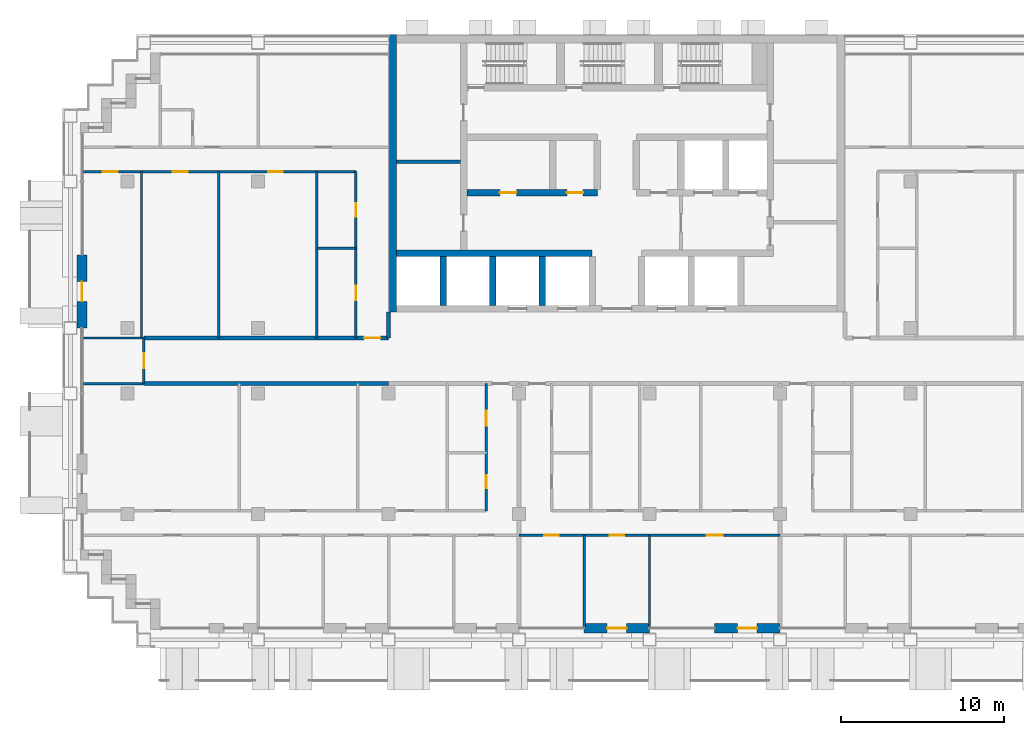
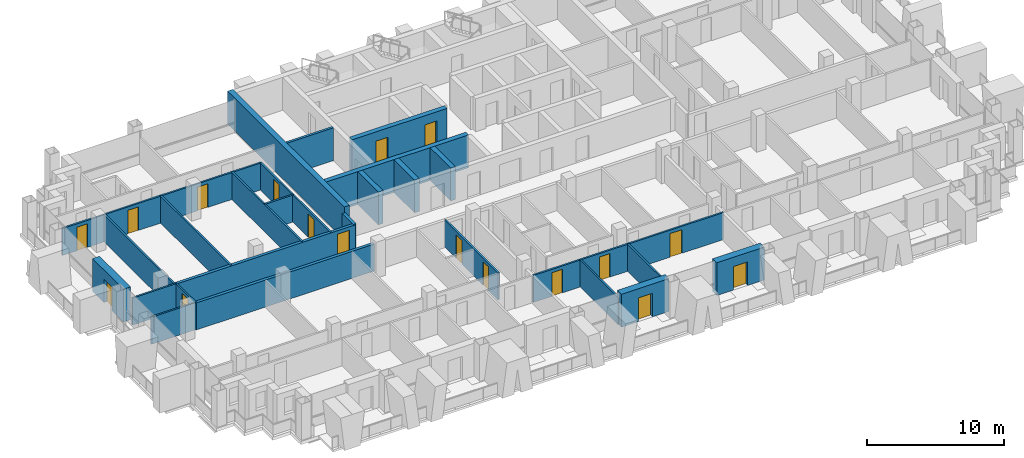
# One storey, part 8 of 16: 26 walls, 17 doors, 17 openings.
"""IFC4 building model written with IfcOpenShell, lengths in metres."""

from ifc_helpers import new_model, si_unit, direction, frame, frame_2d, origin, place, context, subcontext, project, spatial, rectangle, extrude, material, layer, layer_set, type_object, element, fill, save


model = new_model("IFC4")

# Units and contexts
model_context = context("Model", 3, precision=1e-05, world=origin(), true_north=direction((0.0, 1.0)))
body_context = subcontext(model_context, "Body", "Model", "MODEL_VIEW")
ifc_project = project(units=[si_unit("LENGTHUNIT", "METRE"), si_unit("AREAUNIT", "SQUARE_METRE"), si_unit("VOLUMEUNIT", "CUBIC_METRE"), si_unit("PLANEANGLEUNIT", "RADIAN"), si_unit("MASSUNIT", "GRAM", prefix="KILO")], contexts=[model_context])

# Site, building, storey
site_placement = place(None, origin())
site = spatial("IfcSite", under=ifc_project, at=site_placement, CompositionType="ELEMENT")
building_placement = place(site_placement, origin())
building = spatial("IfcBuilding", under=site, at=building_placement, Name="Vidyagriha Tower", CompositionType="ELEMENT")
storey_placement = place(building_placement, frame((0.0, 0.0, 129.39990234375)))
storey = spatial("IfcBuildingStorey", under=building, at=storey_placement, Name="L33", CompositionType="ELEMENT", Elevation=129.39990234375)

# Wall, opening, door
ifc_material_1 = material(Name="Precast concrete C40/50 with brick facing", Category="concrete")
ifc_layer_1 = layer(ifc_material_1, 0.60009765625)
ifc_layer_set_1 = layer_set([ifc_layer_1], Name="Precast concrete C40/50 with brick facing")
wall_type_1 = type_object("IfcWallType", Name="Brick-faced precast wall 600", PredefinedType="STANDARD", material=ifc_layer_set_1)
wall_1_placement = place(storey_placement, frame((-32.800048828125, 6.5, 0.0), z_axis=(0.0, 0.0, 1.0), x_axis=(0.0, -1.0, 0.0)))
wall_1 = element("IfcWall", 1, at=wall_1_placement, inside=storey, type_object=wall_type_1, Name="Brick door bay wall L33 R16.3", PredefinedType="STANDARD", context=body_context, shape_type="SweptSolid", body=[
    extrude(rectangle(XDim=4.5, YDim=0.60009765625, at=frame_2d((2.25, 0.0))), origin(), (0.0, 0.0, 1.0), 2.920166015625),
])
opening_1_placement = place(wall_1_placement, frame((1.64990234375, 0.0, 0.0)))
opening_1 = element("IfcOpeningElement", 2, at=opening_1_placement, cuts=wall_1, Name="Opening D33-65", PredefinedType="OPENING", context=body_context, shape_type="SweptSolid", body=[
    extrude(rectangle(XDim=1.199951171875, YDim=2.10009765625, at=frame_2d((0.60009765625, 1.050048828125))), frame((0.0, 0.31005859375, 0.0), z_axis=(0.0, -1.0, 0.0), x_axis=(1.0, 0.0, 0.0)), (0.0, 0.0, 1.0), 0.6201171875),
])
ifc_material_2 = material(Name="Aluminium framed glazed sliding door", Category="aluminium")
door_type_1 = type_object("IfcDoorType", Name="Balcony sliding door 1200x2100", OperationType="NOTDEFINED", PredefinedType="DOOR", material=ifc_material_2)
door_1_placement = place(opening_1_placement, origin())
door_1 = element("IfcDoor", 3, at=door_1_placement, inside=storey, type_object=door_type_1, Name="Door D33-65", OperationType="SLIDING_TO_LEFT", OverallHeight=2.10009765625, OverallWidth=1.199951171875, PredefinedType="DOOR", context=body_context, shape_type="SweptSolid", body=[
    extrude(rectangle(XDim=1.199951171875, YDim=2.10009765625, at=frame_2d((0.60009765625, 1.050048828125))), frame((0.0, 0.02490234375, 0.0), z_axis=(0.0, -1.0, 0.0), x_axis=(1.0, 0.0, 0.0)), (0.0, 0.0, 1.0), 0.050048828125),
])
fill(opening_1, door_1)

wall_2_placement = place(storey_placement, frame((-2.0, -16.39990234375, 0.0)))
wall_2 = element("IfcWall", 4, at=wall_2_placement, inside=storey, type_object=wall_type_1, Name="Brick door bay wall L33 R23.8", PredefinedType="STANDARD", context=body_context, shape_type="SweptSolid", body=[
    extrude(rectangle(XDim=4.0, YDim=0.60009765625, at=frame_2d((2.0, 0.0))), origin(), (0.0, 0.0, 1.0), 2.920166015625),
])
opening_2_placement = place(wall_2_placement, frame((1.39990234375, 0.0, 0.0)))
opening_2 = element("IfcOpeningElement", 5, at=opening_2_placement, cuts=wall_2, Name="Opening D33-70", PredefinedType="OPENING", context=body_context, shape_type="SweptSolid", body=[
    extrude(rectangle(XDim=1.199951171875, YDim=2.10009765625, at=frame_2d((0.60009765625, 1.050048828125))), frame((0.0, 0.31005859375, 0.0), z_axis=(0.0, -1.0, 0.0), x_axis=(1.0, 0.0, 0.0)), (0.0, 0.0, 1.0), 0.6201171875),
])
door_2_placement = place(opening_2_placement, origin())
door_2 = element("IfcDoor", 6, at=door_2_placement, inside=storey, type_object=door_type_1, Name="Door D33-70", OperationType="SLIDING_TO_LEFT", OverallHeight=2.10009765625, OverallWidth=1.199951171875, PredefinedType="DOOR", context=body_context, shape_type="SweptSolid", body=[
    extrude(rectangle(XDim=1.199951171875, YDim=2.10009765625, at=frame_2d((0.60009765625, 1.050048828125))), frame((0.0, 0.02490234375, 0.0), z_axis=(0.0, -1.0, 0.0), x_axis=(1.0, 0.0, 0.0)), (0.0, 0.0, 1.0), 0.050048828125),
])
fill(opening_2, door_2)

wall_3_placement = place(storey_placement, frame((6.0, -16.39990234375, 0.0)))
wall_3 = element("IfcWall", 7, at=wall_3_placement, inside=storey, type_object=wall_type_1, Name="Brick door bay wall L33 R23.10", PredefinedType="STANDARD", context=body_context, shape_type="SweptSolid", body=[
    extrude(rectangle(XDim=4.0, YDim=0.60009765625, at=frame_2d((2.0, 0.0))), origin(), (0.0, 0.0, 1.0), 2.920166015625),
])
opening_3_placement = place(wall_3_placement, frame((1.39990234375, 0.0, 0.0)))
opening_3 = element("IfcOpeningElement", 8, at=opening_3_placement, cuts=wall_3, Name="Opening D33-71", PredefinedType="OPENING", context=body_context, shape_type="SweptSolid", body=[
    extrude(rectangle(XDim=1.199951171875, YDim=2.10009765625, at=frame_2d((0.60009765625, 1.050048828125))), frame((0.0, 0.31005859375, 0.0), z_axis=(0.0, -1.0, 0.0), x_axis=(1.0, 0.0, 0.0)), (0.0, 0.0, 1.0), 0.6201171875),
])
door_3_placement = place(opening_3_placement, origin())
door_3 = element("IfcDoor", 9, at=door_3_placement, inside=storey, type_object=door_type_1, Name="Door D33-71", OperationType="SLIDING_TO_LEFT", OverallHeight=2.10009765625, OverallWidth=1.199951171875, PredefinedType="DOOR", context=body_context, shape_type="SweptSolid", body=[
    extrude(rectangle(XDim=1.199951171875, YDim=2.10009765625, at=frame_2d((0.60009765625, 1.050048828125))), frame((0.0, 0.02490234375, 0.0), z_axis=(0.0, -1.0, 0.0), x_axis=(1.0, 0.0, 0.0)), (0.0, 0.0, 1.0), 0.050048828125),
])
fill(opening_3, door_3)

# Walls
ifc_material_3 = material(Name="Concrete C60/75", Category="concrete")
ifc_layer_2 = layer(ifc_material_3, 0.39990234375)
ifc_layer_set_2 = layer_set([ifc_layer_2], Name="Concrete C60/75")
wall_type_2 = type_object("IfcWallType", Name="Core shear wall 400 mm", PredefinedType="SHEAR", material=ifc_layer_set_2)
wall_4_placement = place(storey_placement, frame((-13.5, 6.60009765625, 0.0)))
element("IfcWall", 10, at=wall_4_placement, inside=storey, type_object=wall_type_2, Name="Core lobby south wall west", PredefinedType="SHEAR", context=body_context, shape_type="SweptSolid", body=[
    extrude(rectangle(XDim=11.977783203125, YDim=0.39990234375, at=frame_2d((5.98876953125, 0.0))), origin(), (0.0, 0.0, 1.0), 2.920166015625),
])
for number, where, z_axis, x_axis, name in (
    (11, (-10.655517578125, 3.39990234375, 0.0), (0.0, 0.0, 1.0), (0.0, 1.0, 0.0), "Core bay wall S1"),
    (12, (-7.611083984375, 3.39990234375, 0.0), (0.0, 0.0, 1.0), (0.0, 1.0, 0.0), "Core bay wall S2"),
    (13, (-4.566650390625, 3.39990234375, 0.0), (0.0, 0.0, 1.0), (0.0, 1.0, 0.0), "Core bay wall S3"),
):
    element("IfcWall", number, at=place(storey_placement, frame(where, z_axis=z_axis, x_axis=x_axis)), inside=storey, type_object=wall_type_2, Name=name, PredefinedType="SHEAR", context=body_context, shape_type="SweptSolid", body=[
        extrude(rectangle(XDim=3.0, YDim=0.39990234375, at=frame_2d((1.5, 0.0))), origin(), (0.0, 0.0, 1.0), 2.920166015625),
    ])

# Wall, openings, doors
wall_5_placement = place(storey_placement, frame((-9.199951171875, 10.300048828125, 0.0)))
wall_5 = element("IfcWall", 14, at=wall_5_placement, inside=storey, type_object=wall_type_2, Name="Core row N front wall", PredefinedType="SHEAR", context=body_context, shape_type="SweptSolid", body=[
    extrude(rectangle(XDim=8.0, YDim=0.39990234375, at=frame_2d((4.0, 0.0))), origin(), (0.0, 0.0, 1.0), 2.920166015625),
])
opening_4_placement = place(wall_5_placement, frame((2.033203125, 0.0, 0.0)))
opening_4 = element("IfcOpeningElement", 15, at=opening_4_placement, cuts=wall_5, Name="Opening D33-02", PredefinedType="OPENING", context=body_context, shape_type="SweptSolid", body=[
    extrude(rectangle(XDim=1.0, YDim=2.10009765625, at=frame_2d((0.5, 1.050048828125))), frame((0.0, 0.2099609375, 0.0), z_axis=(0.0, -1.0, 0.0), x_axis=(1.0, 0.0, 0.0)), (0.0, 0.0, 1.0), 0.419921875),
])
opening_5_placement = place(wall_5_placement, frame((6.13330078125, 0.0, 0.0)))
opening_5 = element("IfcOpeningElement", 16, at=opening_5_placement, cuts=wall_5, Name="Opening D33-03", PredefinedType="OPENING", context=body_context, shape_type="SweptSolid", body=[
    extrude(rectangle(XDim=1.0, YDim=2.10009765625, at=frame_2d((0.5, 1.050048828125))), frame((0.0, 0.2099609375, 0.0), z_axis=(0.0, -1.0, 0.0), x_axis=(1.0, 0.0, 0.0)), (0.0, 0.0, 1.0), 0.419921875),
])
ifc_material_4 = material(Name="Hollow metal door leaf")
door_type_2 = type_object("IfcDoorType", Name="Core room door 1000 x 2100 mm EI 60", OperationType="NOTDEFINED", PredefinedType="DOOR", material=ifc_material_4)
door_4_placement = place(opening_4_placement, frame((1.0, 0.0, 0.0), z_axis=(0.0, 0.0, 1.0), x_axis=(-1.0, 0.0, 0.0)))
door_4 = element("IfcDoor", 17, at=door_4_placement, inside=storey, type_object=door_type_2, Name="Door Pressurisation Plant Room 33.14", OperationType="SINGLE_SWING_RIGHT", OverallHeight=2.10009765625, OverallWidth=1.0, PredefinedType="DOOR", context=body_context, shape_type="SweptSolid", body=[
    extrude(rectangle(XDim=1.0, YDim=2.10009765625, at=frame_2d((0.5, 1.050048828125))), frame((0.0, 0.02490234375, 0.0), z_axis=(0.0, -1.0, 0.0), x_axis=(1.0, 0.0, 0.0)), (0.0, 0.0, 1.0), 0.050048828125),
])
fill(opening_4, door_4)
door_5_placement = place(opening_5_placement, frame((1.0, 0.0, 0.0), z_axis=(0.0, 0.0, 1.0), x_axis=(-1.0, 0.0, 0.0)))
door_5 = element("IfcDoor", 18, at=door_5_placement, inside=storey, type_object=door_type_2, Name="Door Switchgear Room 33.15", OperationType="SINGLE_SWING_LEFT", OverallHeight=2.10009765625, OverallWidth=1.0, PredefinedType="DOOR", context=body_context, shape_type="SweptSolid", body=[
    extrude(rectangle(XDim=1.0, YDim=2.10009765625, at=frame_2d((0.5, 1.050048828125))), frame((0.0, 0.02490234375, 0.0), z_axis=(0.0, -1.0, 0.0), x_axis=(1.0, 0.0, 0.0)), (0.0, 0.0, 1.0), 0.050048828125),
])
fill(opening_5, door_5)

# Walls
ifc_material_5 = material(Name="Concrete C60/75", Category="concrete")
ifc_layer_3 = layer(ifc_material_5, 0.449951171875)
ifc_layer_set_3 = layer_set([ifc_layer_3], Name="Concrete C60/75")
wall_type_3 = type_object("IfcWallType", Name="Core shear wall 450 mm", PredefinedType="SHEAR", material=ifc_layer_set_3)
wall_6_placement = place(storey_placement, frame((-13.72509765625, 3.0, 0.0), z_axis=(0.0, 0.0, 1.0), x_axis=(0.0, 1.0, 0.0)))
element("IfcWall", 19, at=wall_6_placement, inside=storey, type_object=wall_type_3, Name="Core west wall", PredefinedType="SHEAR", context=body_context, shape_type="SweptSolid", body=[
    extrude(rectangle(XDim=17.0, YDim=0.449951171875, at=frame_2d((8.5, 0.0))), origin(), (0.0, 0.0, 1.0), 2.920166015625),
])
ifc_material_6 = material(Name="Fired clay brick masonry", Category="masonry")
ifc_layer_4 = layer(ifc_material_6, 0.25)
ifc_layer_set_4 = layer_set([ifc_layer_4], Name="Fired clay brick masonry")
wall_type_4 = type_object("IfcWallType", Name="Fired clay brick corridor wall 250", PredefinedType="PARTITIONING", material=ifc_layer_set_4)
wall_7_placement = place(storey_placement, frame((-14.0, -1.39990234375, 0.0), z_axis=(0.0, 0.0, 1.0), x_axis=(-1.0, 0.0, 0.0)))
element("IfcWall", 20, at=wall_7_placement, inside=storey, type_object=wall_type_4, Name="Wall all-L33-w063", PredefinedType="PARTITIONING", context=body_context, shape_type="SweptSolid", body=[
    extrude(rectangle(XDim=15.0, YDim=0.25, at=frame_2d((7.5, 0.0))), origin(), (0.0, 0.0, 1.0), 2.400146484375),
])

# Wall, opening, door
wall_8_placement = place(storey_placement, frame((-29.0, 1.39990234375, 0.0)))
wall_8 = element("IfcWall", 21, at=wall_8_placement, inside=storey, type_object=wall_type_4, Name="Wall all-L33-w088", PredefinedType="PARTITIONING", context=body_context, shape_type="SweptSolid", body=[
    extrude(rectangle(XDim=15.0, YDim=0.25, at=frame_2d((7.5, 0.0))), origin(), (0.0, 0.0, 1.0), 2.400146484375),
])
opening_6_placement = place(wall_8_placement, frame((13.5, 0.0, 0.0)))
opening_6 = element("IfcOpeningElement", 22, at=opening_6_placement, cuts=wall_8, Name="Opening D33-53", PredefinedType="OPENING", context=body_context, shape_type="SweptSolid", body=[
    extrude(rectangle(XDim=1.0, YDim=2.10009765625, at=frame_2d((0.5, 1.050048828125))), frame((0.0, 0.135009765625, 0.0), z_axis=(0.0, -1.0, 0.0), x_axis=(1.0, 0.0, 0.0)), (0.0, 0.0, 1.0), 0.27001953125),
])
ifc_material_7 = material(Name="Fire-rated timber door leaf EI 60", Category="wood")
door_type_3 = type_object("IfcDoorType", Name="Flat entrance fire door 1000x2100", OperationType="NOTDEFINED", PredefinedType="DOOR", material=ifc_material_7)
door_6_placement = place(opening_6_placement, origin())
door_6 = element("IfcDoor", 23, at=door_6_placement, inside=storey, type_object=door_type_3, Name="Door D33-53", OperationType="SINGLE_SWING_RIGHT", OverallHeight=2.10009765625, OverallWidth=1.0, PredefinedType="DOOR", context=body_context, shape_type="SweptSolid", body=[
    extrude(rectangle(XDim=1.0, YDim=2.10009765625, at=frame_2d((0.5, 1.050048828125))), frame((0.0, 0.02490234375, 0.0), z_axis=(0.0, -1.0, 0.0), x_axis=(1.0, 0.0, 0.0)), (0.0, 0.0, 1.0), 0.050048828125),
])
fill(opening_6, door_6)

# Wall
wall_9_placement = place(storey_placement, frame((-14.0, 3.0, 0.0), z_axis=(0.0, 0.0, 1.0), x_axis=(0.0, -1.0, 0.0)))
element("IfcWall", 24, at=wall_9_placement, inside=storey, type_object=wall_type_4, Name="Wall all-L33-w115", PredefinedType="PARTITIONING", context=body_context, shape_type="SweptSolid", body=[
    extrude(rectangle(XDim=1.60009765625, YDim=0.25, at=frame_2d((0.800048828125, 0.0))), origin(), (0.0, 0.0, 1.0), 2.400146484375),
])

# Wall, openings, doors
ifc_material_8 = material(Name="Gypsum board partition")
ifc_layer_5 = layer(ifc_material_8, 0.14990234375)
ifc_layer_set_5 = layer_set([ifc_layer_5], Name="Gypsum board partition")
wall_type_5 = type_object("IfcWallType", Name="Gypsum board partition 150", PredefinedType="PARTITIONING", material=ifc_layer_set_5)
wall_10_placement = place(storey_placement, frame((10.0, -10.699951171875, 0.0), z_axis=(0.0, 0.0, 1.0), x_axis=(-1.0, 0.0, 0.0)))
wall_10 = element("IfcWall", 25, at=wall_10_placement, inside=storey, type_object=wall_type_5, Name="Wall all-L33-w034", PredefinedType="PARTITIONING", context=body_context, shape_type="SweptSolid", body=[
    extrude(rectangle(XDim=16.0, YDim=0.14990234375, at=frame_2d((8.0, 0.0))), origin(), (0.0, 0.0, 1.0), 2.400146484375),
])
opening_7_placement = place(wall_10_placement, frame((13.550048828125, 0.0, 0.0)))
opening_7 = element("IfcOpeningElement", 26, at=opening_7_placement, cuts=wall_10, Name="Opening D33-30", PredefinedType="OPENING", context=body_context, shape_type="SweptSolid", body=[
    extrude(rectangle(XDim=0.89990234375, YDim=2.10009765625, at=frame_2d((0.449951171875, 1.050048828125))), frame((0.0, 0.0849609375, 0.0), z_axis=(0.0, -1.0, 0.0), x_axis=(1.0, 0.0, 0.0)), (0.0, 0.0, 1.0), 0.169921875),
])
opening_8_placement = place(wall_10_placement, frame((9.550048828125, 0.0, 0.0)))
opening_8 = element("IfcOpeningElement", 27, at=opening_8_placement, cuts=wall_10, Name="Opening D33-31", PredefinedType="OPENING", context=body_context, shape_type="SweptSolid", body=[
    extrude(rectangle(XDim=0.89990234375, YDim=2.10009765625, at=frame_2d((0.449951171875, 1.050048828125))), frame((0.0, 0.0849609375, 0.0), z_axis=(0.0, -1.0, 0.0), x_axis=(1.0, 0.0, 0.0)), (0.0, 0.0, 1.0), 0.169921875),
])
opening_9_placement = place(wall_10_placement, frame((3.5, 0.0, 0.0)))
opening_9 = element("IfcOpeningElement", 28, at=opening_9_placement, cuts=wall_10, Name="Opening D33-32", PredefinedType="OPENING", context=body_context, shape_type="SweptSolid", body=[
    extrude(rectangle(XDim=1.0, YDim=2.10009765625, at=frame_2d((0.5, 1.050048828125))), frame((0.0, 0.0849609375, 0.0), z_axis=(0.0, -1.0, 0.0), x_axis=(1.0, 0.0, 0.0)), (0.0, 0.0, 1.0), 0.169921875),
])
ifc_material_9 = material(Name="Timber door leaf", Category="wood")
door_type_4 = type_object("IfcDoorType", Name="Room door 1000x2100", OperationType="NOTDEFINED", PredefinedType="DOOR", material=ifc_material_9)
door_7_placement = place(opening_9_placement, origin())
door_7 = element("IfcDoor", 29, at=door_7_placement, inside=storey, type_object=door_type_4, Name="Door D33-32", OperationType="SINGLE_SWING_RIGHT", OverallHeight=2.10009765625, OverallWidth=1.0, PredefinedType="DOOR", context=body_context, shape_type="SweptSolid", body=[
    extrude(rectangle(XDim=1.0, YDim=2.10009765625, at=frame_2d((0.5, 1.050048828125))), frame((0.0, 0.02490234375, 0.0), z_axis=(0.0, -1.0, 0.0), x_axis=(1.0, 0.0, 0.0)), (0.0, 0.0, 1.0), 0.050048828125),
])
fill(opening_9, door_7)
ifc_material_10 = material(Name="Timber door leaf", Category="wood")
door_type_5 = type_object("IfcDoorType", Name="Room door 900x2100", OperationType="NOTDEFINED", PredefinedType="DOOR", material=ifc_material_10)
door_8_placement = place(opening_7_placement, origin())
door_8 = element("IfcDoor", 30, at=door_8_placement, inside=storey, type_object=door_type_5, Name="Door D33-30", OperationType="SINGLE_SWING_RIGHT", OverallHeight=2.10009765625, OverallWidth=0.89990234375, PredefinedType="DOOR", context=body_context, shape_type="SweptSolid", body=[
    extrude(rectangle(XDim=0.89990234375, YDim=2.10009765625, at=frame_2d((0.449951171875, 1.050048828125))), frame((0.0, 0.02490234375, 0.0), z_axis=(0.0, -1.0, 0.0), x_axis=(1.0, 0.0, 0.0)), (0.0, 0.0, 1.0), 0.050048828125),
])
fill(opening_7, door_8)
door_9_placement = place(opening_8_placement, origin())
door_9 = element("IfcDoor", 31, at=door_9_placement, inside=storey, type_object=door_type_5, Name="Door D33-31", OperationType="SINGLE_SWING_RIGHT", OverallHeight=2.10009765625, OverallWidth=0.89990234375, PredefinedType="DOOR", context=body_context, shape_type="SweptSolid", body=[
    extrude(rectangle(XDim=0.89990234375, YDim=2.10009765625, at=frame_2d((0.449951171875, 1.050048828125))), frame((0.0, 0.02490234375, 0.0), z_axis=(0.0, -1.0, 0.0), x_axis=(1.0, 0.0, 0.0)), (0.0, 0.0, 1.0), 0.050048828125),
])
fill(opening_8, door_9)

# Walls
wall_11_placement = place(storey_placement, frame((-2.0, -10.699951171875, 0.0), z_axis=(0.0, 0.0, 1.0), x_axis=(0.0, -1.0, 0.0)))
element("IfcWall", 32, at=wall_11_placement, inside=storey, type_object=wall_type_5, Name="Wall all-L33-w038", PredefinedType="PARTITIONING", context=body_context, shape_type="SweptSolid", body=[
    extrude(rectangle(XDim=5.62109375, YDim=0.14990234375, at=frame_2d((2.810546875, 0.0))), origin(), (0.0, 0.0, 1.0), 2.400146484375),
])
wall_12_placement = place(storey_placement, frame((2.0, -10.699951171875, 0.0), z_axis=(0.0, 0.0, 1.0), x_axis=(0.0, -1.0, 0.0)))
element("IfcWall", 33, at=wall_12_placement, inside=storey, type_object=wall_type_5, Name="Wall all-L33-w039", PredefinedType="PARTITIONING", context=body_context, shape_type="SweptSolid", body=[
    extrude(rectangle(XDim=5.610107421875, YDim=0.14990234375, at=frame_2d((2.80517578125, 0.0))), origin(), (0.0, 0.0, 1.0), 2.400146484375),
])
wall_13_placement = place(storey_placement, frame((-29.0, -1.39990234375, 0.0), z_axis=(0.0, 0.0, 1.0), x_axis=(-1.0, 0.0, 0.0)))
element("IfcWall", 34, at=wall_13_placement, inside=storey, type_object=wall_type_5, Name="Wall all-L33-w064", PredefinedType="PARTITIONING", context=body_context, shape_type="SweptSolid", body=[
    extrude(rectangle(XDim=3.719970703125, YDim=0.14990234375, at=frame_2d((1.85986328125, 0.0))), origin(), (0.0, 0.0, 1.0), 2.400146484375),
])
wall_14_placement = place(storey_placement, frame((-18.39990234375, 6.89990234375, 0.0)))
element("IfcWall", 35, at=wall_14_placement, inside=storey, type_object=wall_type_5, Name="Wall all-L33-w070", PredefinedType="PARTITIONING", context=body_context, shape_type="SweptSolid", body=[
    extrude(rectangle(XDim=2.39990234375, YDim=0.14990234375, at=frame_2d((1.199951171875, 0.0))), origin(), (0.0, 0.0, 1.0), 2.400146484375),
])
for number, where, z_axis, x_axis, name in (
    (36, (-18.39990234375, 1.39990234375, 0.0), (0.0, 0.0, 1.0), (0.0, 1.0, 0.0), "Wall all-L33-w071"),
    (37, (-24.39990234375, 1.39990234375, 0.0), (0.0, 0.0, 1.0), (0.0, 1.0, 0.0), "Wall all-L33-w072"),
    (38, (-29.14990234375, 1.39990234375, 0.0), (0.0, 0.0, 1.0), (0.0, 1.0, 0.0), "Wall all-L33-w073"),
):
    element("IfcWall", number, at=place(storey_placement, frame(where, z_axis=z_axis, x_axis=x_axis)), inside=storey, type_object=wall_type_5, Name=name, PredefinedType="PARTITIONING", context=body_context, shape_type="SweptSolid", body=[
        extrude(rectangle(XDim=10.2001953125, YDim=0.14990234375, at=frame_2d((5.10009765625, 0.0))), origin(), (0.0, 0.0, 1.0), 2.400146484375),
    ])

# Wall, openings, doors
wall_15_placement = place(storey_placement, frame((-16.0, 11.60009765625, 0.0), z_axis=(0.0, 0.0, 1.0), x_axis=(-1.0, 0.0, 0.0)))
wall_15 = element("IfcWall", 39, at=wall_15_placement, inside=storey, type_object=wall_type_5, Name="Wall all-L33-w074", PredefinedType="PARTITIONING", context=body_context, shape_type="SweptSolid", body=[
    extrude(rectangle(XDim=16.719970703125, YDim=0.14990234375, at=frame_2d((8.35986328125, 0.0))), origin(), (0.0, 0.0, 1.0), 2.400146484375),
])
opening_10_placement = place(wall_15_placement, frame((4.48193359375, 0.0, 0.0)))
opening_10 = element("IfcOpeningElement", 40, at=opening_10_placement, cuts=wall_15, Name="Opening D33-46", PredefinedType="OPENING", context=body_context, shape_type="SweptSolid", body=[
    extrude(rectangle(XDim=0.89990234375, YDim=2.10009765625, at=frame_2d((0.449951171875, 1.050048828125))), frame((0.0, 0.0849609375, 0.0), z_axis=(0.0, -1.0, 0.0), x_axis=(1.0, 0.0, 0.0)), (0.0, 0.0, 1.0), 0.169921875),
])
opening_11_placement = place(wall_15_placement, frame((10.324951171875, 0.0, 0.0)))
opening_11 = element("IfcOpeningElement", 41, at=opening_11_placement, cuts=wall_15, Name="Opening D33-47", PredefinedType="OPENING", context=body_context, shape_type="SweptSolid", body=[
    extrude(rectangle(XDim=0.89990234375, YDim=2.10009765625, at=frame_2d((0.449951171875, 1.050048828125))), frame((0.0, 0.0849609375, 0.0), z_axis=(0.0, -1.0, 0.0), x_axis=(1.0, 0.0, 0.0)), (0.0, 0.0, 1.0), 0.169921875),
])
opening_12_placement = place(wall_15_placement, frame((14.617919921875, 0.0, 0.0)))
opening_12 = element("IfcOpeningElement", 42, at=opening_12_placement, cuts=wall_15, Name="Opening D33-48", PredefinedType="OPENING", context=body_context, shape_type="SweptSolid", body=[
    extrude(rectangle(XDim=0.89990234375, YDim=2.10009765625, at=frame_2d((0.449951171875, 1.050048828125))), frame((0.0, 0.0849609375, 0.0), z_axis=(0.0, -1.0, 0.0), x_axis=(1.0, 0.0, 0.0)), (0.0, 0.0, 1.0), 0.169921875),
])
door_10_placement = place(opening_10_placement, origin())
door_10 = element("IfcDoor", 43, at=door_10_placement, inside=storey, type_object=door_type_5, Name="Door D33-46", OperationType="SINGLE_SWING_LEFT", OverallHeight=2.10009765625, OverallWidth=0.89990234375, PredefinedType="DOOR", context=body_context, shape_type="SweptSolid", body=[
    extrude(rectangle(XDim=0.89990234375, YDim=2.10009765625, at=frame_2d((0.449951171875, 1.050048828125))), frame((0.0, 0.02490234375, 0.0), z_axis=(0.0, -1.0, 0.0), x_axis=(1.0, 0.0, 0.0)), (0.0, 0.0, 1.0), 0.050048828125),
])
fill(opening_10, door_10)
door_11_placement = place(opening_11_placement, origin())
door_11 = element("IfcDoor", 44, at=door_11_placement, inside=storey, type_object=door_type_5, Name="Door D33-47", OperationType="SINGLE_SWING_RIGHT", OverallHeight=2.10009765625, OverallWidth=0.89990234375, PredefinedType="DOOR", context=body_context, shape_type="SweptSolid", body=[
    extrude(rectangle(XDim=0.89990234375, YDim=2.10009765625, at=frame_2d((0.449951171875, 1.050048828125))), frame((0.0, 0.02490234375, 0.0), z_axis=(0.0, -1.0, 0.0), x_axis=(1.0, 0.0, 0.0)), (0.0, 0.0, 1.0), 0.050048828125),
])
fill(opening_11, door_11)
door_12_placement = place(opening_12_placement, origin())
door_12 = element("IfcDoor", 45, at=door_12_placement, inside=storey, type_object=door_type_5, Name="Door D33-48", OperationType="SINGLE_SWING_RIGHT", OverallHeight=2.10009765625, OverallWidth=0.89990234375, PredefinedType="DOOR", context=body_context, shape_type="SweptSolid", body=[
    extrude(rectangle(XDim=0.89990234375, YDim=2.10009765625, at=frame_2d((0.449951171875, 1.050048828125))), frame((0.0, 0.02490234375, 0.0), z_axis=(0.0, -1.0, 0.0), x_axis=(1.0, 0.0, 0.0)), (0.0, 0.0, 1.0), 0.050048828125),
])
fill(opening_12, door_12)

# Wall
wall_16_placement = place(storey_placement, frame((-32.719970703125, 1.39990234375, 0.0)))
element("IfcWall", 46, at=wall_16_placement, inside=storey, type_object=wall_type_5, Name="Wall all-L33-w089", PredefinedType="PARTITIONING", context=body_context, shape_type="SweptSolid", body=[
    extrude(rectangle(XDim=3.719970703125, YDim=0.14990234375, at=frame_2d((1.85986328125, 0.0))), origin(), (0.0, 0.0, 1.0), 2.400146484375),
])

# Wall, opening, door
wall_17_placement = place(storey_placement, frame((-29.0, 1.39990234375, 0.0), z_axis=(0.0, 0.0, 1.0), x_axis=(0.0, -1.0, 0.0)))
wall_17 = element("IfcWall", 47, at=wall_17_placement, inside=storey, type_object=wall_type_5, Name="Wall all-L33-w110", PredefinedType="PARTITIONING", context=body_context, shape_type="SweptSolid", body=[
    extrude(rectangle(XDim=2.7998046875, YDim=0.14990234375, at=frame_2d((1.39990234375, 0.0))), origin(), (0.0, 0.0, 1.0), 2.400146484375),
])
opening_13_placement = place(wall_17_placement, frame((0.949951171875, 0.0, 0.0)))
opening_13 = element("IfcOpeningElement", 48, at=opening_13_placement, cuts=wall_17, Name="Opening D33-63", PredefinedType="OPENING", context=body_context, shape_type="SweptSolid", body=[
    extrude(rectangle(XDim=0.89990234375, YDim=2.10009765625, at=frame_2d((0.449951171875, 1.050048828125))), frame((0.0, 0.0849609375, 0.0), z_axis=(0.0, -1.0, 0.0), x_axis=(1.0, 0.0, 0.0)), (0.0, 0.0, 1.0), 0.169921875),
])
door_13_placement = place(opening_13_placement, origin())
door_13 = element("IfcDoor", 49, at=door_13_placement, inside=storey, type_object=door_type_5, Name="Door D33-63", OperationType="SINGLE_SWING_RIGHT", OverallHeight=2.10009765625, OverallWidth=0.89990234375, PredefinedType="DOOR", context=body_context, shape_type="SweptSolid", body=[
    extrude(rectangle(XDim=0.89990234375, YDim=2.10009765625, at=frame_2d((0.449951171875, 1.050048828125))), frame((0.0, 0.02490234375, 0.0), z_axis=(0.0, -1.0, 0.0), x_axis=(1.0, 0.0, 0.0)), (0.0, 0.0, 1.0), 0.050048828125),
])
fill(opening_13, door_13)

# Wall, openings, doors
ifc_material_11 = material(Name="Moisture resistant gypsum board partition")
ifc_layer_6 = layer(ifc_material_11, 0.14990234375)
ifc_layer_set_6 = layer_set([ifc_layer_6], Name="Moisture resistant gypsum board partition")
wall_type_6 = type_object("IfcWallType", Name="Gypsum board wet-area partition 150", PredefinedType="PARTITIONING", material=ifc_layer_set_6)
wall_18_placement = place(storey_placement, frame((-8.0, -9.199951171875, 0.0), z_axis=(0.0, 0.0, 1.0), x_axis=(0.0, 1.0, 0.0)))
wall_18 = element("IfcWall", 50, at=wall_18_placement, inside=storey, type_object=wall_type_6, Name="Wall all-L33-w001", PredefinedType="PARTITIONING", context=body_context, shape_type="SweptSolid", body=[
    extrude(rectangle(XDim=7.800048828125, YDim=0.14990234375, at=frame_2d((3.89990234375, 0.0))), origin(), (0.0, 0.0, 1.0), 2.400146484375),
])
opening_14_placement = place(wall_18_placement, frame((5.22509765625, 0.0, 0.0)))
opening_14 = element("IfcOpeningElement", 51, at=opening_14_placement, cuts=wall_18, Name="Opening D33-14", PredefinedType="OPENING", context=body_context, shape_type="SweptSolid", body=[
    extrude(rectangle(XDim=0.89990234375, YDim=2.10009765625, at=frame_2d((0.449951171875, 1.050048828125))), frame((0.0, 0.0849609375, 0.0), z_axis=(0.0, -1.0, 0.0), x_axis=(1.0, 0.0, 0.0)), (0.0, 0.0, 1.0), 0.169921875),
])
opening_15_placement = place(wall_18_placement, frame((1.375, 0.0, 0.0)))
opening_15 = element("IfcOpeningElement", 52, at=opening_15_placement, cuts=wall_18, Name="Opening D33-15", PredefinedType="OPENING", context=body_context, shape_type="SweptSolid", body=[
    extrude(rectangle(XDim=0.800048828125, YDim=2.10009765625, at=frame_2d((0.39990234375, 1.050048828125))), frame((0.0, 0.0849609375, 0.0), z_axis=(0.0, -1.0, 0.0), x_axis=(1.0, 0.0, 0.0)), (0.0, 0.0, 1.0), 0.169921875),
])
ifc_material_12 = material(Name="Timber door leaf", Category="wood")
door_type_6 = type_object("IfcDoorType", Name="Bathroom door 800x2100", OperationType="NOTDEFINED", PredefinedType="DOOR", material=ifc_material_12)
door_14_placement = place(opening_15_placement, origin())
door_14 = element("IfcDoor", 53, at=door_14_placement, inside=storey, type_object=door_type_6, Name="Door D33-15", OperationType="SINGLE_SWING_RIGHT", OverallHeight=2.10009765625, OverallWidth=0.800048828125, PredefinedType="DOOR", context=body_context, shape_type="SweptSolid", body=[
    extrude(rectangle(XDim=0.800048828125, YDim=2.10009765625, at=frame_2d((0.39990234375, 1.050048828125))), frame((0.0, 0.02490234375, 0.0), z_axis=(0.0, -1.0, 0.0), x_axis=(1.0, 0.0, 0.0)), (0.0, 0.0, 1.0), 0.050048828125),
])
fill(opening_15, door_14)
ifc_material_13 = material(Name="Timber door leaf", Category="wood")
door_type_7 = type_object("IfcDoorType", Name="Kitchen door 900x2100", OperationType="NOTDEFINED", PredefinedType="DOOR", material=ifc_material_13)
door_15_placement = place(opening_14_placement, origin())
door_15 = element("IfcDoor", 54, at=door_15_placement, inside=storey, type_object=door_type_7, Name="Door D33-14", OperationType="SINGLE_SWING_LEFT", OverallHeight=2.10009765625, OverallWidth=0.89990234375, PredefinedType="DOOR", context=body_context, shape_type="SweptSolid", body=[
    extrude(rectangle(XDim=0.89990234375, YDim=2.10009765625, at=frame_2d((0.449951171875, 1.050048828125))), frame((0.0, 0.02490234375, 0.0), z_axis=(0.0, -1.0, 0.0), x_axis=(1.0, 0.0, 0.0)), (0.0, 0.0, 1.0), 0.050048828125),
])
fill(opening_14, door_15)

wall_19_placement = place(storey_placement, frame((-16.0, 1.39990234375, 0.0), z_axis=(0.0, 0.0, 1.0), x_axis=(0.0, 1.0, 0.0)))
wall_19 = element("IfcWall", 55, at=wall_19_placement, inside=storey, type_object=wall_type_6, Name="Wall all-L33-w067", PredefinedType="PARTITIONING", context=body_context, shape_type="SweptSolid", body=[
    extrude(rectangle(XDim=10.2001953125, YDim=0.14990234375, at=frame_2d((5.10009765625, 0.0))), origin(), (0.0, 0.0, 1.0), 2.400146484375),
])
opening_16_placement = place(wall_19_placement, frame((2.300048828125, 0.0, 0.0)))
opening_16 = element("IfcOpeningElement", 56, at=opening_16_placement, cuts=wall_19, Name="Opening D33-44", PredefinedType="OPENING", context=body_context, shape_type="SweptSolid", body=[
    extrude(rectangle(XDim=0.89990234375, YDim=2.10009765625, at=frame_2d((0.449951171875, 1.050048828125))), frame((0.0, 0.0849609375, 0.0), z_axis=(0.0, -1.0, 0.0), x_axis=(1.0, 0.0, 0.0)), (0.0, 0.0, 1.0), 0.169921875),
])
opening_17_placement = place(wall_19_placement, frame((7.449951171875, 0.0, 0.0)))
opening_17 = element("IfcOpeningElement", 57, at=opening_17_placement, cuts=wall_19, Name="Opening D33-45", PredefinedType="OPENING", context=body_context, shape_type="SweptSolid", body=[
    extrude(rectangle(XDim=0.800048828125, YDim=2.10009765625, at=frame_2d((0.39990234375, 1.050048828125))), frame((0.0, 0.0849609375, 0.0), z_axis=(0.0, -1.0, 0.0), x_axis=(1.0, 0.0, 0.0)), (0.0, 0.0, 1.0), 0.169921875),
])
door_16_placement = place(opening_17_placement, origin())
door_16 = element("IfcDoor", 58, at=door_16_placement, inside=storey, type_object=door_type_6, Name="Door D33-45", OperationType="SINGLE_SWING_RIGHT", OverallHeight=2.10009765625, OverallWidth=0.800048828125, PredefinedType="DOOR", context=body_context, shape_type="SweptSolid", body=[
    extrude(rectangle(XDim=0.800048828125, YDim=2.10009765625, at=frame_2d((0.39990234375, 1.050048828125))), frame((0.0, 0.02490234375, 0.0), z_axis=(0.0, -1.0, 0.0), x_axis=(1.0, 0.0, 0.0)), (0.0, 0.0, 1.0), 0.050048828125),
])
fill(opening_17, door_16)
door_17_placement = place(opening_16_placement, origin())
door_17 = element("IfcDoor", 59, at=door_17_placement, inside=storey, type_object=door_type_7, Name="Door D33-44", OperationType="SINGLE_SWING_RIGHT", OverallHeight=2.10009765625, OverallWidth=0.89990234375, PredefinedType="DOOR", context=body_context, shape_type="SweptSolid", body=[
    extrude(rectangle(XDim=0.89990234375, YDim=2.10009765625, at=frame_2d((0.449951171875, 1.050048828125))), frame((0.0, 0.02490234375, 0.0), z_axis=(0.0, -1.0, 0.0), x_axis=(1.0, 0.0, 0.0)), (0.0, 0.0, 1.0), 0.050048828125),
])
fill(opening_16, door_17)

# Wall
ifc_material_14 = material(Name="Blockwork 15 MPa", Category="masonry")
ifc_layer_7 = layer(ifc_material_14, 0.199951171875)
ifc_layer_set_7 = layer_set([ifc_layer_7], Name="Blockwork 15 MPa")
wall_type_7 = type_object("IfcWallType", Name="Service room partition 200 mm", PredefinedType="PARTITIONING", material=ifc_layer_set_7)
wall_20_placement = place(storey_placement, frame((-13.5, 12.199951171875, 0.0)))
element("IfcWall", 60, at=wall_20_placement, inside=storey, type_object=wall_type_7, Name="Core room partition W1", PredefinedType="PARTITIONING", context=body_context, shape_type="SweptSolid", body=[
    extrude(rectangle(XDim=3.89990234375, YDim=0.199951171875, at=frame_2d((1.949951171875, 0.0))), origin(), (0.0, 0.0, 1.0), 2.920166015625),
])

save(model, "model.ifc")
